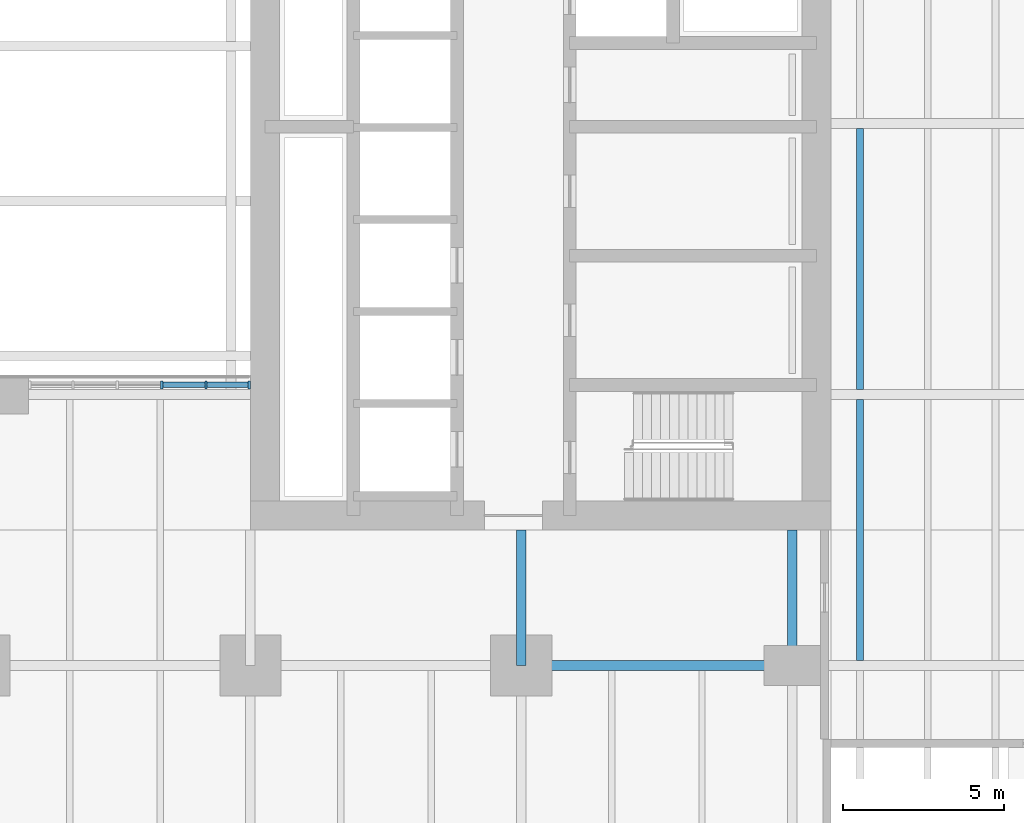
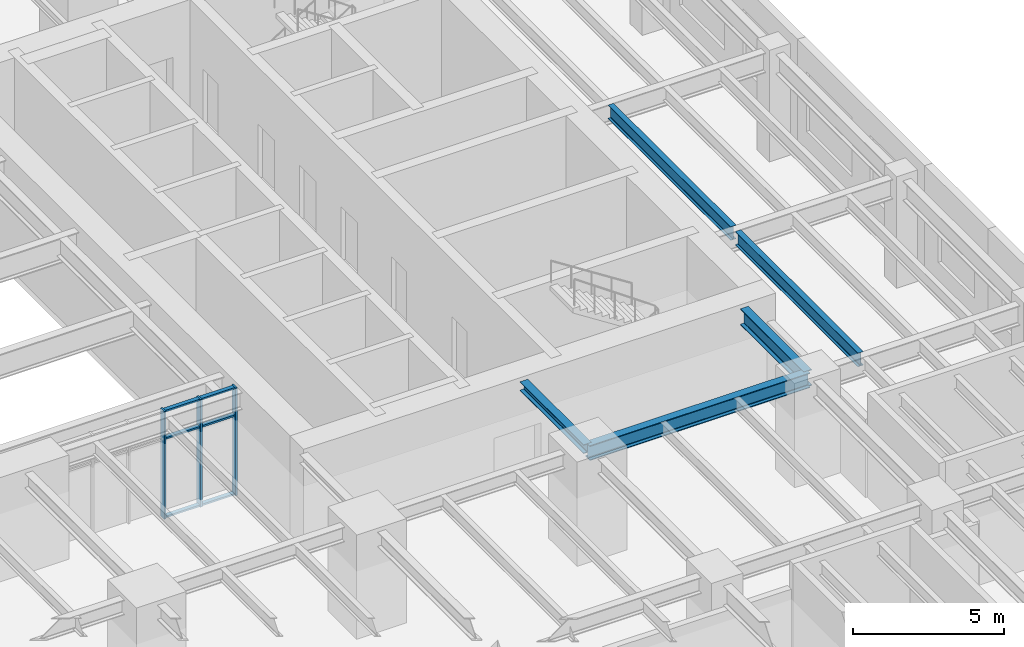
# One storey, part 3 of 22: 9 members, 5 beams, 1 element without a shape of its own.
"""IFC4 building model written with IfcOpenShell, lengths in metres."""

import ifcopenshell
import ifcopenshell.guid

model = None  # the IFC model being written
_history = None  # IfcOwnerHistory: only IFC2X3 demands one
_inside = {}  # id of a spatial element -> (the spatial element, [elements in it])
_under = {}  # id of a project, library or spatial element -> (it, [spatial elements below it])
_declared = {}  # id of a project -> (the project, [libraries it declares])
_typed = {}  # id of a type object -> (the type object, [elements of that type])
_made_of = {}  # id of a material, layer set ... -> (it, [elements and type objects made of it])


def new_model(schema):
    """Start an empty IFC model of exactly this schema.

    Asked for "IFC4X3", IfcOpenShell would pick the latest addendum, in which some entities
    have other attributes; the version numbers below select the first issue.
    IFC2X3 requires an IfcOwnerHistory on every rooted entity: one is made here for all.
    """
    global model, _history
    if schema == "IFC4X3":
        model = ifcopenshell.file(schema_version=(4, 3, 0, 0))
    else:
        model = ifcopenshell.file(schema=schema)
    _inside.clear()
    _under.clear()
    _declared.clear()
    _typed.clear()
    _made_of.clear()
    _history = None
    if model.schema == "IFC2X3":
        org = make("IfcOrganization", Name="unknown")
        user = make(
            "IfcPersonAndOrganization",
            ThePerson=make("IfcPerson", FamilyName="unknown"),
            TheOrganization=org,
        )
        app = make(
            "IfcApplication",
            ApplicationDeveloper=org,
            Version="unknown",
            ApplicationFullName="unknown",
            ApplicationIdentifier="unknown",
        )
        _history = make(
            "IfcOwnerHistory",
            OwningUser=user,
            OwningApplication=app,
            ChangeAction="ADDED",
            CreationDate=0,
        )
    return model


def make(cls, **values):
    """One entity of the class cls with the attributes given. An attribute that is None is left unset."""
    return model.create_entity(
        cls, **{name: value for name, value in values.items() if value is not None}
    )


def rooted(cls, **values):
    """An entity with a GlobalId (a new one), such as an element, a storey or a relation."""
    return make(cls, GlobalId=ifcopenshell.guid.new(), OwnerHistory=_history, **values)


def si_unit(unit_type, name, prefix=None):
    """IfcSIUnit, for example si_unit("LENGTHUNIT", "METRE", prefix="MILLI")."""
    return make("IfcSIUnit", UnitType=unit_type, Prefix=prefix, Name=name)


def assignment(units):
    """IfcUnitAssignment: the units of a project."""
    return None if units is None else make("IfcUnitAssignment", Units=units)


def point(xyz):
    """IfcCartesianPoint."""
    return None if xyz is None else make("IfcCartesianPoint", Coordinates=xyz)


def direction(xyz):
    """IfcDirection."""
    return None if xyz is None else make("IfcDirection", DirectionRatios=xyz)


def frame(location, z_axis=None, x_axis=None):
    """IfcAxis2Placement3D, a coordinate frame: its origin and axes. An axis left out is left unset."""
    return make(
        "IfcAxis2Placement3D",
        Location=point(location),
        Axis=direction(z_axis),
        RefDirection=direction(x_axis),
    )


def frame_2d(location, x_axis=None):
    """IfcAxis2Placement2D, a coordinate frame in the plane: its origin and x axis."""
    return make(
        "IfcAxis2Placement2D", Location=point(location), RefDirection=direction(x_axis)
    )


def origin():
    """The frame at (0, 0, 0) with its axes left unset."""
    return frame((0.0, 0.0, 0.0))


def origin_2d():
    """The frame at (0, 0) in the plane with its x axis left unset."""
    return frame_2d((0.0, 0.0))


def place(relative_to, where):
    """IfcLocalPlacement: puts the frame where relative to a parent placement (None: the world)."""
    return make(
        "IfcLocalPlacement", PlacementRelTo=relative_to, RelativePlacement=where
    )


def context(
    kind, dimensions, precision=None, world=None, true_north=None, identifier=None
):
    """IfcGeometricRepresentationContext, for example the 3D "Model" context."""
    return make(
        "IfcGeometricRepresentationContext",
        ContextIdentifier=identifier,
        ContextType=kind,
        CoordinateSpaceDimension=dimensions,
        Precision=precision,
        WorldCoordinateSystem=world,
        TrueNorth=true_north,
    )


def subcontext(parent, identifier, kind, view, scale=None):
    """IfcGeometricRepresentationSubContext, for example "Body" below "Model"."""
    return make(
        "IfcGeometricRepresentationSubContext",
        ContextIdentifier=identifier,
        ContextType=kind,
        ParentContext=parent,
        TargetScale=scale,
        TargetView=view,
    )


def project(units=None, contexts=None):
    """IfcProject with its units and contexts."""
    return rooted(
        "IfcProject",
        Name="project",
        RepresentationContexts=contexts,
        UnitsInContext=assignment(units),
    )


def spatial(cls, under=None, at=None, **own):
    """A site, building, storey or space (cls), placed at a placement, below another one or the project."""
    s = rooted(cls, ObjectPlacement=at, **own)
    if under is not None:
        _under.setdefault(under.id(), (under, []))[1].append(s)
    return s


def profile(cls, at=None, kind="AREA", **sizes):
    """A parametric profile (cls). Its sizes go by their IFC names, for example OverallWidth=200.0."""
    return make(cls, ProfileType=kind, Position=at, **sizes)


def rectangle(**sizes):
    """IfcRectangleProfileDef."""
    return profile("IfcRectangleProfileDef", **sizes)


def i_section(**sizes):
    """IfcIShapeProfileDef."""
    return profile("IfcIShapeProfileDef", **sizes)


def extrude(swept, where, along, depth):
    """IfcExtrudedAreaSolid: the profile swept, set in the frame where, extruded along a direction by depth."""
    return make(
        "IfcExtrudedAreaSolid",
        SweptArea=swept,
        Position=where,
        ExtrudedDirection=direction(along),
        Depth=depth,
    )


def shape(context_of_items, identifier, shape_type, items):
    """IfcShapeRepresentation: the items that make up one representation, for example the "Body"."""
    return make(
        "IfcShapeRepresentation",
        ContextOfItems=context_of_items,
        RepresentationIdentifier=identifier,
        RepresentationType=shape_type,
        Items=items,
    )


def material(Name=None, Category=None):
    """IfcMaterial."""
    return make("IfcMaterial", Name=Name, Category=Category)


def material_profile(
    of_material, cross_section, Name=None, Category=None, Priority=None
):
    """IfcMaterialProfile: a cross section and its material."""
    return make(
        "IfcMaterialProfile",
        Name=Name,
        Material=of_material,
        Profile=cross_section,
        Priority=Priority,
        Category=Category,
    )


def profile_set(profiles, Name=None, composite=None):
    """IfcMaterialProfileSet."""
    return make(
        "IfcMaterialProfileSet",
        Name=Name,
        MaterialProfiles=profiles,
        CompositeProfile=composite,
    )


def made_of(thing, what):
    """Note that an element or type object is made of a material, layer set ...; save() writes the relation."""
    if what is not None:
        _made_of.setdefault(what.id(), (what, []))[1].append(thing)
    return thing


def type_object(cls, material=None, **own):
    """A type object (cls), such as IfcWallType, which elements share."""
    return made_of(rooted(cls, **own), material)


def element(
    cls,
    number,
    at=None,
    inside=None,
    cuts=None,
    type_object=None,
    material=None,
    context=None,
    identifier="Body",
    shape_type=None,
    held_by="IfcProductDefinitionShape",
    body=None,
    shapes=None,
    **own,
):
    """One element of the class cls, such as IfcWall. Its Tag is "e" and its number.

    at: its placement. inside: the storey or other place that contains it. cuts: it is an
    opening in that element (IfcRelVoidsElement). A single representation is given by context,
    identifier, shape_type and body (its items); several are given by shapes. held_by: the class
    of the entity that holds the representations. save() writes the other relations.
    """
    e = rooted(cls, Tag="e%d" % number, ObjectPlacement=at, **own)
    if body is not None:
        shapes = [shape(context, identifier, shape_type, body)]
    if shapes is not None:
        e.Representation = make(held_by, Representations=shapes)
    if inside is not None:
        _inside.setdefault(inside.id(), (inside, []))[1].append(e)
    if cuts is not None:
        rooted(
            "IfcRelVoidsElement", RelatingBuildingElement=cuts, RelatedOpeningElement=e
        )
    if type_object is not None:
        _typed.setdefault(type_object.id(), (type_object, []))[1].append(e)
    return made_of(e, material)


def aggregate(whole, parts):
    """IfcRelAggregates: a whole, such as a stair, and the parts it consists of."""
    return rooted("IfcRelAggregates", RelatingObject=whole, RelatedObjects=parts)


def save(model, path):
    """Write the relations noted so far, then the file.

    IfcRelAggregates (storeys below a building ...), IfcRelContainedInSpatialStructure (elements
    in a storey), IfcRelDefinesByType, IfcRelAssociatesMaterial and IfcRelDeclares: one each for
    every whole, place, type object, material and project.
    """
    for whole, parts in _under.values():
        aggregate(whole, parts)
    for where, things in _inside.values():
        rooted(
            "IfcRelContainedInSpatialStructure",
            RelatedElements=things,
            RelatingStructure=where,
        )
    for kind, things in _typed.values():
        rooted("IfcRelDefinesByType", RelatedObjects=things, RelatingType=kind)
    for what, things in _made_of.values():
        rooted("IfcRelAssociatesMaterial", RelatedObjects=things, RelatingMaterial=what)
    for by, libraries in _declared.values():
        rooted("IfcRelDeclares", RelatingContext=by, RelatedDefinitions=libraries)
    model.write(path)


model = new_model("IFC4")

# Units and contexts
model_context = context("Model", 3, precision=1e-05, world=origin(), true_north=direction((0.0, 1.0)))
body_context = subcontext(model_context, "Body", "Model", "MODEL_VIEW")
ifc_project = project(units=[si_unit("LENGTHUNIT", "METRE"), si_unit("AREAUNIT", "SQUARE_METRE"), si_unit("VOLUMEUNIT", "CUBIC_METRE"), si_unit("PLANEANGLEUNIT", "RADIAN"), si_unit("MASSUNIT", "GRAM", prefix="KILO")], contexts=[model_context])

# Site, building, storey
site_placement = place(None, origin())
site = spatial("IfcSite", under=ifc_project, at=site_placement, CompositionType="ELEMENT")
building_placement = place(site_placement, origin())
building = spatial("IfcBuilding", under=site, at=building_placement, Name="Claustro Exchange Tower", CompositionType="ELEMENT")
storey_placement = place(building_placement, frame((0.0, 0.0, 14.39990234375)))
storey = spatial("IfcBuildingStorey", under=building, at=storey_placement, Name="L03", CompositionType="ELEMENT", Elevation=14.39990234375)

# Beams
ifc_material_1 = material(Name="Steel S355", Category="steel")
ifc_material_profile_1 = material_profile(ifc_material_1, i_section(OverallWidth=0.300048828125, OverallDepth=0.60009765625, WebThickness=0.015380859375, FlangeThickness=0.030029296875, FilletRadius=0.027099609375, at=origin_2d()), Name="HE 600 B")
ifc_profile_set_1 = profile_set([ifc_material_profile_1], Name="Steel S355")
beam_type_1 = type_object("IfcBeamType", Name="B1 HE 600 B floor girder", PredefinedType="BEAM", material=ifc_profile_set_1)
beam_1_placement = place(storey_placement, frame((42.0, 8.39990234375, 4.0400390625), z_axis=(1.0, 0.0, 0.0), x_axis=(0.0, 1.0, 0.0)))
element("IfcBeam", 1, at=beam_1_placement, inside=storey, type_object=beam_type_1, Name="Beam B1 L04", PredefinedType="BEAM", context=body_context, shape_type="SweptSolid", body=[
    extrude(i_section(OverallWidth=0.300048828125, OverallDepth=0.60009765625, WebThickness=0.015380859375, FlangeThickness=0.030029296875, FilletRadius=0.027099609375, at=origin_2d()), origin(), (0.0, 0.0, 1.0), 8.39990234375),
])
ifc_material_2 = material(Name="Steel S355", Category="steel")
ifc_material_profile_2 = material_profile(ifc_material_2, i_section(OverallWidth=0.2099609375, OverallDepth=0.550048828125, WebThickness=0.010986328125, FlangeThickness=0.01708984375, FilletRadius=0.02392578125, at=origin_2d()), Name="IPE 550")
ifc_profile_set_2 = profile_set([ifc_material_profile_2], Name="Steel S355")
beam_type_2 = type_object("IfcBeamType", Name="B19 IPE 550 secondary beam", PredefinedType="BEAM", material=ifc_profile_set_2)
beam_2_placement = place(storey_placement, frame((52.5, 8.550048828125, 3.97509765625), z_axis=(0.0, 1.0, 0.0), x_axis=(-1.0, 0.0, 0.0)))
element("IfcBeam", 2, at=beam_2_placement, inside=storey, type_object=beam_type_2, Name="Beam B19 L04", PredefinedType="BEAM", context=body_context, shape_type="SweptSolid", body=[
    extrude(i_section(OverallWidth=0.2099609375, OverallDepth=0.550048828125, WebThickness=0.010986328125, FlangeThickness=0.01708984375, FilletRadius=0.02392578125, at=origin_2d()), origin(), (0.0, 0.0, 1.0), 8.099853515625),
])
beam_3_placement = place(storey_placement, frame((52.5, 16.949951171875, 3.97509765625), z_axis=(0.0, 1.0, 0.0), x_axis=(-1.0, 0.0, 0.0)))
element("IfcBeam", 3, at=beam_3_placement, inside=storey, type_object=beam_type_2, Name="Beam B19 L04", PredefinedType="BEAM", context=body_context, shape_type="SweptSolid", body=[
    extrude(i_section(OverallWidth=0.2099609375, OverallDepth=0.550048828125, WebThickness=0.010986328125, FlangeThickness=0.01708984375, FilletRadius=0.02392578125, at=origin_2d()), origin(), (0.0, 0.0, 1.0), 8.10009765625),
])
ifc_material_3 = material(Name="Steel S355", Category="steel")
ifc_material_profile_3 = material_profile(ifc_material_3, i_section(OverallWidth=0.300048828125, OverallDepth=0.64990234375, WebThickness=0.01611328125, FlangeThickness=0.031005859375, FilletRadius=0.027099609375, at=origin_2d()), Name="HE 650 B")
ifc_profile_set_3 = profile_set([ifc_material_profile_3], Name="Steel S355")
beam_type_3 = type_object("IfcBeamType", Name="B26 HE 650 B podium roof spandrel edge girder", PredefinedType="SPANDREL", material=ifc_profile_set_3)
beam_4_placement = place(storey_placement, frame((50.39990234375, 8.39990234375, 4.01513671875), z_axis=(0.0, 1.0, 0.0), x_axis=(-1.0, 0.0, 0.0)))
element("IfcBeam", 4, at=beam_4_placement, inside=storey, type_object=beam_type_3, Name="Beam B26 L04", PredefinedType="SPANDREL", context=body_context, shape_type="SweptSolid", body=[
    extrude(i_section(OverallWidth=0.300048828125, OverallDepth=0.64990234375, WebThickness=0.01611328125, FlangeThickness=0.031005859375, FilletRadius=0.027099609375, at=origin_2d()), origin(), (0.0, 0.0, 1.0), 4.2001953125),
])
ifc_material_4 = material(Name="Steel S355", Category="steel")
ifc_material_profile_4 = material_profile(ifc_material_4, i_section(OverallWidth=0.300048828125, OverallDepth=0.360107421875, WebThickness=0.012451171875, FlangeThickness=0.0224609375, FilletRadius=0.027099609375, at=origin_2d()), Name="HE 360 B")
ifc_profile_set_4 = profile_set([ifc_material_profile_4], Name="Steel S355")
beam_type_4 = type_object("IfcBeamType", Name="B29 HE 360 B column to core link beam", PredefinedType="BEAM", material=ifc_profile_set_4)
beam_5_placement = place(storey_placement, frame((42.0, 8.39990234375, 4.16015625), z_axis=(0.0, 1.0, 0.0), x_axis=(-1.0, 0.0, 0.0)))
element("IfcBeam", 5, at=beam_5_placement, inside=storey, type_object=beam_type_4, Name="Beam B29 L04", PredefinedType="BEAM", context=body_context, shape_type="SweptSolid", body=[
    extrude(i_section(OverallWidth=0.300048828125, OverallDepth=0.360107421875, WebThickness=0.012451171875, FlangeThickness=0.0224609375, FilletRadius=0.027099609375, at=origin_2d()), origin(), (0.0, 0.0, 1.0), 4.2001953125),
])

# Curtain wall, members
ifc_material_5 = material(Name="Aluminium frame, clear double glazing", Category="aluminium")
curtain_wall_type = type_object("IfcCurtainWallType", Name="CW6 sky lobby and conference curtain wall", PredefinedType="USERDEFINED", material=ifc_material_5)
curtain_wall_placement = place(storey_placement, origin())
curtain_wall = element("IfcCurtainWall", 6, at=curtain_wall_placement, inside=storey, type_object=curtain_wall_type, Name="Curtain wall CW6 L03", ObjectType="STICK CURTAIN WALL", PredefinedType="USERDEFINED")
ifc_material_6 = material(Name="Aluminium mullion", Category="aluminium")
ifc_material_profile_5 = material_profile(ifc_material_6, rectangle(XDim=0.25, YDim=0.070068359375, at=origin_2d()), Name="CW6-M 70x250")
ifc_profile_set_5 = profile_set([ifc_material_profile_5], Name="Aluminium mullion")
member_type_1 = type_object("IfcMemberType", Name="CW6-M 70 x 250 mullion", PredefinedType="MULLION", material=ifc_profile_set_5)
member_1_placement = place(storey_placement, frame((30.85009765625, 17.10009765625, 0.0), z_axis=(0.0, 0.0, 1.0), x_axis=(0.0, 1.0, 0.0)))
member_1 = element("IfcMember", 7, at=member_1_placement, type_object=member_type_1, Name="CW6 mullion 4", PredefinedType="MULLION", context=body_context, shape_type="SweptSolid", body=[
    extrude(rectangle(XDim=0.25, YDim=0.070068359375, at=origin_2d()), origin(), (0.0, 0.0, 1.0), 4.340087890625),
])
member_2_placement = place(storey_placement, frame((32.22509765625, 17.10009765625, 0.0), z_axis=(0.0, 0.0, 1.0), x_axis=(0.0, 1.0, 0.0)))
member_2 = element("IfcMember", 8, at=member_2_placement, type_object=member_type_1, Name="CW6 mullion 5", PredefinedType="MULLION", context=body_context, shape_type="SweptSolid", body=[
    extrude(rectangle(XDim=0.25, YDim=0.070068359375, at=origin_2d()), origin(), (0.0, 0.0, 1.0), 4.340087890625),
])
member_3_placement = place(storey_placement, frame((33.56494140625, 17.10009765625, 0.0), z_axis=(0.0, 0.0, 1.0), x_axis=(0.0, 1.0, 0.0)))
member_3 = element("IfcMember", 9, at=member_3_placement, type_object=member_type_1, Name="CW6 mullion 6", PredefinedType="MULLION", context=body_context, shape_type="SweptSolid", body=[
    extrude(rectangle(XDim=0.25, YDim=0.070068359375, at=origin_2d()), origin(), (0.0, 0.0, 1.0), 4.340087890625),
])
ifc_material_7 = material(Name="Aluminium transom", Category="aluminium")
ifc_material_profile_6 = material_profile(ifc_material_7, rectangle(XDim=0.159912109375, YDim=0.070068359375, at=origin_2d()), Name="CW6-T 70x160")
ifc_profile_set_6 = profile_set([ifc_material_profile_6], Name="Aluminium transom")
member_type_2 = type_object("IfcMemberType", Name="CW6-T 70 x 160 transom", PredefinedType="USERDEFINED", material=ifc_profile_set_6)
member_4_placement = place(storey_placement, frame((30.885009765625, 17.10009765625, 0.03515625), z_axis=(1.0, 0.0, 0.0), x_axis=(0.0, 1.0, 0.0)))
member_4 = element("IfcMember", 10, at=member_4_placement, type_object=member_type_2, Name="CW6 transom 4.1", ObjectType="TRANSOM", PredefinedType="USERDEFINED", context=body_context, shape_type="SweptSolid", body=[
    extrude(rectangle(XDim=0.159912109375, YDim=0.070068359375, at=origin_2d()), origin(), (0.0, 0.0, 1.0), 1.304931640625),
])
member_5_placement = place(storey_placement, frame((30.885009765625, 17.10009765625, 3.2001953125), z_axis=(1.0, 0.0, 0.0), x_axis=(0.0, 1.0, 0.0)))
member_5 = element("IfcMember", 11, at=member_5_placement, type_object=member_type_2, Name="CW6 transom 4.2", ObjectType="TRANSOM", PredefinedType="USERDEFINED", context=body_context, shape_type="SweptSolid", body=[
    extrude(rectangle(XDim=0.159912109375, YDim=0.070068359375, at=origin_2d()), origin(), (0.0, 0.0, 1.0), 1.304931640625),
])
member_6_placement = place(storey_placement, frame((30.885009765625, 17.10009765625, 4.30517578125), z_axis=(1.0, 0.0, 0.0), x_axis=(0.0, 1.0, 0.0)))
member_6 = element("IfcMember", 12, at=member_6_placement, type_object=member_type_2, Name="CW6 transom 4.3", ObjectType="TRANSOM", PredefinedType="USERDEFINED", context=body_context, shape_type="SweptSolid", body=[
    extrude(rectangle(XDim=0.159912109375, YDim=0.070068359375, at=origin_2d()), origin(), (0.0, 0.0, 1.0), 1.304931640625),
])
member_7_placement = place(storey_placement, frame((32.260009765625, 17.10009765625, 0.03515625), z_axis=(1.0, 0.0, 0.0), x_axis=(0.0, 1.0, 0.0)))
member_7 = element("IfcMember", 13, at=member_7_placement, type_object=member_type_2, Name="CW6 transom 5.1", ObjectType="TRANSOM", PredefinedType="USERDEFINED", context=body_context, shape_type="SweptSolid", body=[
    extrude(rectangle(XDim=0.159912109375, YDim=0.070068359375, at=origin_2d()), origin(), (0.0, 0.0, 1.0), 1.27001953125),
])
member_8_placement = place(storey_placement, frame((32.260009765625, 17.10009765625, 3.2001953125), z_axis=(1.0, 0.0, 0.0), x_axis=(0.0, 1.0, 0.0)))
member_8 = element("IfcMember", 14, at=member_8_placement, type_object=member_type_2, Name="CW6 transom 5.2", ObjectType="TRANSOM", PredefinedType="USERDEFINED", context=body_context, shape_type="SweptSolid", body=[
    extrude(rectangle(XDim=0.159912109375, YDim=0.070068359375, at=origin_2d()), origin(), (0.0, 0.0, 1.0), 1.27001953125),
])
member_9_placement = place(storey_placement, frame((32.260009765625, 17.10009765625, 4.30517578125), z_axis=(1.0, 0.0, 0.0), x_axis=(0.0, 1.0, 0.0)))
member_9 = element("IfcMember", 15, at=member_9_placement, type_object=member_type_2, Name="CW6 transom 5.3", ObjectType="TRANSOM", PredefinedType="USERDEFINED", context=body_context, shape_type="SweptSolid", body=[
    extrude(rectangle(XDim=0.159912109375, YDim=0.070068359375, at=origin_2d()), origin(), (0.0, 0.0, 1.0), 1.27001953125),
])
aggregate(curtain_wall, [member_1, member_2, member_3, member_4, member_5, member_6, member_7, member_8, member_9])

save(model, "model.ifc")
